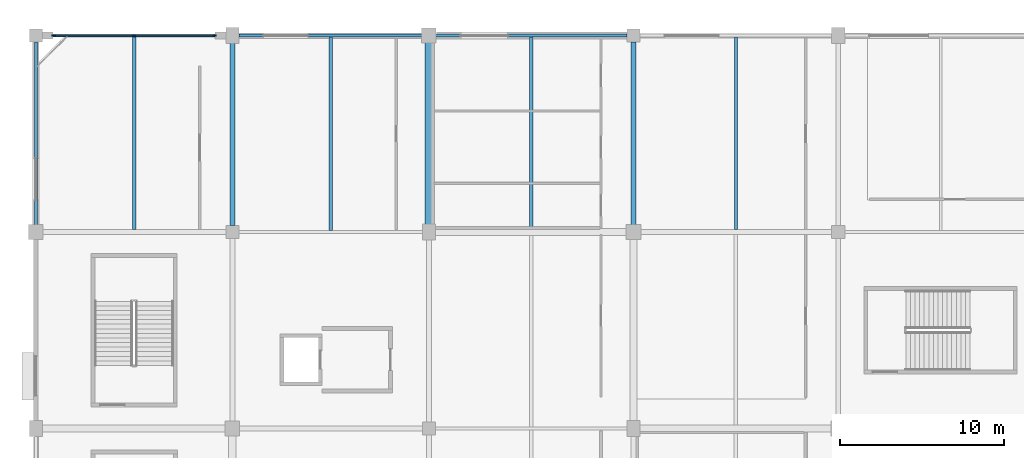
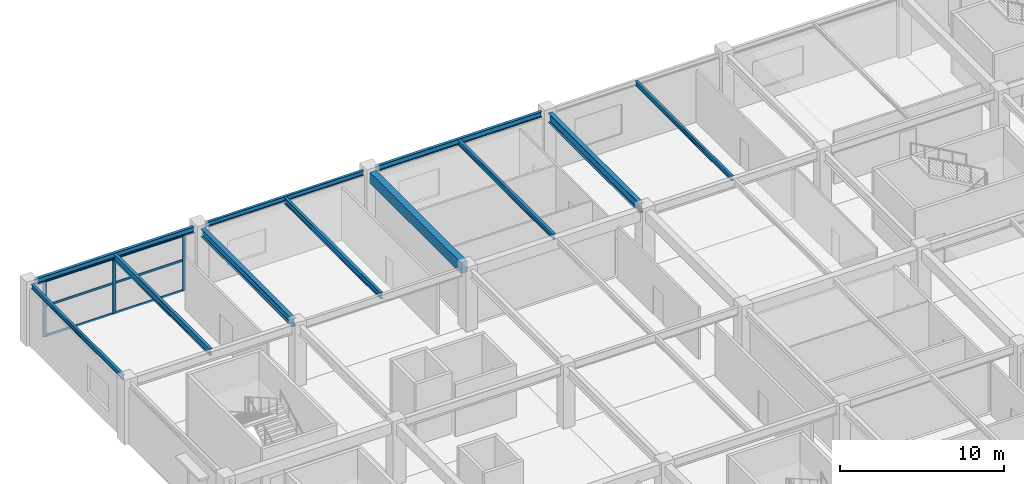
# One storey, part 53 of 134: 11 beams, 9 members, 1 element without a shape of its own.
"""IFC4 building model written with IfcOpenShell, lengths in metres."""

from ifc_helpers import new_model, si_unit, direction, frame, origin, origin_2d, place, context, subcontext, project, spatial, rectangle, i_section, extrude, material, layer, layer_set, material_profile, profile_set, type_object, element, aggregate, save


model = new_model("IFC4")

# Units and contexts
model_context = context("Model", 3, precision=1e-05, world=origin(), true_north=direction((0.0, 1.0)))
body_context = subcontext(model_context, "Body", "Model", "MODEL_VIEW")
ifc_project = project(units=[si_unit("LENGTHUNIT", "METRE"), si_unit("AREAUNIT", "SQUARE_METRE"), si_unit("VOLUMEUNIT", "CUBIC_METRE"), si_unit("PLANEANGLEUNIT", "RADIAN"), si_unit("MASSUNIT", "GRAM", prefix="KILO")], contexts=[model_context])

# Site, building, storey
site_placement = place(None, origin())
site = spatial("IfcSite", under=ifc_project, at=site_placement, CompositionType="ELEMENT")
building_placement = place(site_placement, origin())
building = spatial("IfcBuilding", under=site, at=building_placement, Name="Kazenohara Klinker Stadium", CompositionType="ELEMENT")
storey_placement = place(building_placement, frame((0.0, 0.0, 5.39990234375)))
storey = spatial("IfcBuildingStorey", under=building, at=storey_placement, Name="L01", CompositionType="ELEMENT", Elevation=5.39990234375)

# Beams
ifc_material_1 = material(Name="Steel S355", Category="steel")
ifc_material_profile_1 = material_profile(ifc_material_1, i_section(OverallWidth=0.199951171875, OverallDepth=0.5, WebThickness=0.010009765625, FlangeThickness=0.01611328125, FilletRadius=0.012939453125, at=origin_2d()), Name="H-500x200x10x16")
ifc_profile_set_1 = profile_set([ifc_material_profile_1], Name="Steel S355")
beam_type_1 = type_object("IfcBeamType", Name="BM-JST01", PredefinedType="JOIST", material=ifc_profile_set_1)
beam_1_placement = place(storey_placement, frame((6.0, 156.14990234375, 4.300048828125), z_axis=(0.0, 1.0, 0.0), x_axis=(-1.0, 0.0, 0.0)))
element("IfcBeam", 1, at=beam_1_placement, inside=storey, type_object=beam_type_1, Name="Secondary floor joist SJ01 L01 1/P", PredefinedType="JOIST", context=body_context, shape_type="SweptSolid", body=[
    extrude(i_section(OverallWidth=0.199951171875, OverallDepth=0.5, WebThickness=0.010009765625, FlangeThickness=0.01611328125, FilletRadius=0.012939453125, at=origin_2d()), origin(), (0.0, 0.0, 1.0), 11.75),
])
ifc_material_profile_2 = material_profile(ifc_material_1, i_section(OverallWidth=0.199951171875, OverallDepth=0.449951171875, WebThickness=0.009033203125, FlangeThickness=0.013916015625, FilletRadius=0.012939453125, at=origin_2d()), Name="H-450x200x9x14")
ifc_profile_set_2 = profile_set([ifc_material_profile_2], Name="Steel S355")
beam_type_2 = type_object("IfcBeamType", Name="BM-JST02", PredefinedType="JOIST", material=ifc_profile_set_2)
beam_2_placement = place(storey_placement, frame((18.0, 156.10009765625, 4.3251953125), z_axis=(0.0, 1.0, 0.0), x_axis=(-1.0, 0.0, 0.0)))
element("IfcBeam", 2, at=beam_2_placement, inside=storey, type_object=beam_type_2, Name="Secondary floor joist SJ02 L01 2/P", PredefinedType="JOIST", context=body_context, shape_type="SweptSolid", body=[
    extrude(i_section(OverallWidth=0.199951171875, OverallDepth=0.449951171875, WebThickness=0.009033203125, FlangeThickness=0.013916015625, FilletRadius=0.012939453125, at=origin_2d()), origin(), (0.0, 0.0, 1.0), 11.8125),
])
ifc_material_profile_3 = material_profile(ifc_material_1, i_section(OverallWidth=0.199951171875, OverallDepth=0.39990234375, WebThickness=0.008056640625, FlangeThickness=0.012939453125, FilletRadius=0.012939453125, at=origin_2d()), Name="H-400x200x8x13")
ifc_profile_set_3 = profile_set([ifc_material_profile_3], Name="Steel S355")
beam_type_3 = type_object("IfcBeamType", Name="BM-JST03", PredefinedType="JOIST", material=ifc_profile_set_3)
beam_3_placement = place(storey_placement, frame((30.25, 156.22509765625, 4.35009765625), z_axis=(0.0, 1.0, 0.0), x_axis=(-1.0, 0.0, 0.0)))
element("IfcBeam", 3, at=beam_3_placement, inside=storey, type_object=beam_type_3, Name="Secondary floor joist SJ03 L01 3/P", PredefinedType="JOIST", context=body_context, shape_type="SweptSolid", body=[
    extrude(i_section(OverallWidth=0.199951171875, OverallDepth=0.39990234375, WebThickness=0.008056640625, FlangeThickness=0.012939453125, FilletRadius=0.012939453125, at=origin_2d()), origin(), (0.0, 0.0, 1.0), 11.6748046875),
])
ifc_material_profile_4 = material_profile(ifc_material_1, i_section(OverallWidth=0.175048828125, OverallDepth=0.35009765625, WebThickness=0.007080078125, FlangeThickness=0.010986328125, FilletRadius=0.012939453125, at=origin_2d()), Name="H-350x175x7x11")
ifc_profile_set_4 = profile_set([ifc_material_profile_4], Name="Steel S355")
beam_type_4 = type_object("IfcBeamType", Name="BM-JST04", PredefinedType="JOIST", material=ifc_profile_set_4)
beam_4_placement = place(storey_placement, frame((42.75, 156.14990234375, 4.375), z_axis=(0.0, 1.0, 0.0), x_axis=(-1.0, 0.0, 0.0)))
element("IfcBeam", 4, at=beam_4_placement, inside=storey, type_object=beam_type_4, Name="Secondary floor joist SJ04 L01 4/P", PredefinedType="JOIST", context=body_context, shape_type="SweptSolid", body=[
    extrude(i_section(OverallWidth=0.175048828125, OverallDepth=0.35009765625, WebThickness=0.007080078125, FlangeThickness=0.010986328125, FilletRadius=0.012939453125, at=origin_2d()), origin(), (0.0, 0.0, 1.0), 11.7626953125),
])
ifc_material_2 = material(Name="Concrete C40/50", Category="concrete")
ifc_material_profile_5 = material_profile(ifc_material_2, rectangle(XDim=0.449951171875, YDim=0.800048828125, at=origin_2d()), Name="RC-BM-450x800")
ifc_profile_set_5 = profile_set([ifc_material_profile_5], Name="Concrete C40/50")
beam_type_5 = type_object("IfcBeamType", Name="BM-RC03", PredefinedType="BEAM", material=ifc_profile_set_5)
beam_5_placement = place(storey_placement, frame((24.0, 156.419921875, 4.150146484375), z_axis=(0.0, 1.0, 0.0), x_axis=(-1.0, 0.0, 0.0)))
element("IfcBeam", 5, at=beam_5_placement, inside=storey, type_object=beam_type_5, Name="Primary girder BG03 L01 3/P-Q", PredefinedType="BEAM", context=body_context, shape_type="SweptSolid", body=[
    extrude(rectangle(XDim=0.449951171875, YDim=0.800048828125, at=origin_2d()), origin(), (0.0, 0.0, 1.0), 11.16015625),
])
ifc_material_profile_6 = material_profile(ifc_material_1, i_section(OverallWidth=0.199951171875, OverallDepth=0.39990234375, WebThickness=0.008056640625, FlangeThickness=0.012939453125, FilletRadius=0.012939453125, at=origin_2d()), Name="H-400x200x8x13")
ifc_profile_set_6 = profile_set([ifc_material_profile_6], Name="Steel S355")
beam_type_6 = type_object("IfcBeamType", Name="BM-SPD01", PredefinedType="SPANDREL", material=ifc_profile_set_6)
beam_6_placement = place(storey_placement, frame((0.39990234375, 168.0, 4.35009765625), z_axis=(1.0, 0.0, 0.0), x_axis=(0.0, 1.0, 0.0)))
element("IfcBeam", 6, at=beam_6_placement, inside=storey, type_object=beam_type_6, Name="Primary girder SP01 L01 1-2/Q", PredefinedType="SPANDREL", context=body_context, shape_type="SweptSolid", body=[
    extrude(i_section(OverallWidth=0.199951171875, OverallDepth=0.39990234375, WebThickness=0.008056640625, FlangeThickness=0.012939453125, FilletRadius=0.012939453125, at=origin_2d()), origin(), (0.0, 0.0, 1.0), 11.2001953125),
])
beam_7_placement = place(storey_placement, frame((24.419921875, 168.0, 4.35009765625), z_axis=(1.0, 0.0, 0.0), x_axis=(0.0, 1.0, 0.0)))
element("IfcBeam", 7, at=beam_7_placement, inside=storey, type_object=beam_type_6, Name="Primary girder SP01 L01 3-4/Q", PredefinedType="SPANDREL", context=body_context, shape_type="SweptSolid", body=[
    extrude(i_section(OverallWidth=0.199951171875, OverallDepth=0.39990234375, WebThickness=0.008056640625, FlangeThickness=0.012939453125, FilletRadius=0.012939453125, at=origin_2d()), origin(), (0.0, 0.0, 1.0), 11.68017578125),
])
ifc_material_profile_7 = material_profile(ifc_material_1, i_section(OverallWidth=0.175048828125, OverallDepth=0.35009765625, WebThickness=0.007080078125, FlangeThickness=0.010986328125, FilletRadius=0.012939453125, at=origin_2d()), Name="H-350x175x7x11")
ifc_profile_set_7 = profile_set([ifc_material_profile_7], Name="Steel S355")
beam_type_7 = type_object("IfcBeamType", Name="BM-SPD02", PredefinedType="SPANDREL", material=ifc_profile_set_7)
for number, where, z_axis, x_axis, name in (
    (8, (12.39990234375, 168.0, 4.375), (1.0, 0.0, 0.0), (0.0, 1.0, 0.0), "Primary girder SP02 L01 2-3/Q"),
    (9, (0.0, 156.419921875, 4.375), (0.0, 1.0, 0.0), (-1.0, 0.0, 0.0), "Primary girder SP02 L01 1/P-Q"),
):
    element("IfcBeam", number, at=place(storey_placement, frame(where, z_axis=z_axis, x_axis=x_axis)), inside=storey, type_object=beam_type_7, Name=name, PredefinedType="SPANDREL", context=body_context, shape_type="SweptSolid", body=[
        extrude(i_section(OverallWidth=0.175048828125, OverallDepth=0.35009765625, WebThickness=0.007080078125, FlangeThickness=0.010986328125, FilletRadius=0.012939453125, at=origin_2d()), origin(), (0.0, 0.0, 1.0), 11.18017578125),
    ])
ifc_material_profile_8 = material_profile(ifc_material_1, i_section(OverallWidth=0.300048828125, OverallDepth=0.699951171875, WebThickness=0.012939453125, FlangeThickness=0.02392578125, FilletRadius=0.02197265625, at=origin_2d()), Name="H-700x300x13x24")
ifc_profile_set_8 = profile_set([ifc_material_profile_8], Name="Steel S355")
beam_type_8 = type_object("IfcBeamType", Name="BM-ST03", PredefinedType="BEAM", material=ifc_profile_set_8)
beam_8_placement = place(storey_placement, frame((36.5, 156.419921875, 4.2001953125), z_axis=(0.0, 1.0, 0.0), x_axis=(-1.0, 0.0, 0.0)))
element("IfcBeam", 10, at=beam_8_placement, inside=storey, type_object=beam_type_8, Name="Primary girder SB03 L01 4/P-Q", PredefinedType="BEAM", context=body_context, shape_type="SweptSolid", body=[
    extrude(i_section(OverallWidth=0.300048828125, OverallDepth=0.699951171875, WebThickness=0.012939453125, FlangeThickness=0.02392578125, FilletRadius=0.02197265625, at=origin_2d()), origin(), (0.0, 0.0, 1.0), 11.18017578125),
])
ifc_material_profile_9 = material_profile(ifc_material_1, i_section(OverallWidth=0.300048828125, OverallDepth=0.587890625, WebThickness=0.011962890625, FlangeThickness=0.02001953125, FilletRadius=0.02197265625, at=origin_2d()), Name="H-588x300x12x20")
ifc_profile_set_9 = profile_set([ifc_material_profile_9], Name="Steel S355")
beam_type_9 = type_object("IfcBeamType", Name="BM-ST05", PredefinedType="BEAM", material=ifc_profile_set_9)
beam_9_placement = place(storey_placement, frame((12.0, 156.39990234375, 4.256103515625), z_axis=(0.0, 1.0, 0.0), x_axis=(-1.0, 0.0, 0.0)))
element("IfcBeam", 11, at=beam_9_placement, inside=storey, type_object=beam_type_9, Name="Primary girder SB05 L01 2/P-Q", PredefinedType="BEAM", context=body_context, shape_type="SweptSolid", body=[
    extrude(i_section(OverallWidth=0.300048828125, OverallDepth=0.587890625, WebThickness=0.011962890625, FlangeThickness=0.02001953125, FilletRadius=0.02197265625, at=origin_2d()), origin(), (0.0, 0.0, 1.0), 11.18017578125),
])

# Curtain wall, members
ifc_material_3 = material(Name="Anodised aluminium and triple glazing", Category="aluminium")
ifc_layer = layer(ifc_material_3, 0.169921875)
ifc_layer_set = layer_set([ifc_layer], Name="Anodised aluminium and triple glazing")
curtain_wall_type = type_object("IfcCurtainWallType", Name="CW-SYS-04", PredefinedType="USERDEFINED", material=ifc_layer_set)
curtain_wall_placement = place(storey_placement, origin())
curtain_wall = element("IfcCurtainWall", 12, at=curtain_wall_placement, inside=storey, type_object=curtain_wall_type, Name="Unitised facade curtain wall CW04 L01 X0-14", ObjectType="UNITISED CURTAIN WALL", PredefinedType="USERDEFINED")
ifc_material_4 = material(Name="Anodised aluminium 6063-T6", Category="aluminium")
ifc_material_profile_10 = material_profile(ifc_material_4, rectangle(XDim=0.074951171875, YDim=0.219970703125, at=origin_2d()), Name="ALU-MUL-75x220")
ifc_profile_set_10 = profile_set([ifc_material_profile_10], Name="Anodised aluminium 6063-T6")
member_type_1 = type_object("IfcMemberType", Name="CW-MUL-220", PredefinedType="MULLION", material=ifc_profile_set_10)
member_1_placement = place(storey_placement, frame((1.091552734375, 168.0, 0.0), z_axis=(0.0, 0.0, 1.0), x_axis=(0.0, 1.0, 0.0)))
member_1 = element("IfcMember", 13, at=member_1_placement, type_object=member_type_1, Name="CW04 mullion 1", PredefinedType="MULLION", context=body_context, shape_type="SweptSolid", body=[
    extrude(rectangle(XDim=0.074951171875, YDim=0.219970703125, at=origin_2d()), origin(), (0.0, 0.0, 1.0), 4.150146484375),
])
member_2_placement = place(storey_placement, frame((6.0, 168.0, 0.0), z_axis=(0.0, 0.0, 1.0), x_axis=(0.0, 1.0, 0.0)))
member_2 = element("IfcMember", 14, at=member_2_placement, type_object=member_type_1, Name="CW04 mullion 2", PredefinedType="MULLION", context=body_context, shape_type="SweptSolid", body=[
    extrude(rectangle(XDim=0.074951171875, YDim=0.219970703125, at=origin_2d()), origin(), (0.0, 0.0, 1.0), 4.150146484375),
])
member_3_placement = place(storey_placement, frame((10.908447265625, 168.0, 0.0), z_axis=(0.0, 0.0, 1.0), x_axis=(0.0, 1.0, 0.0)))
member_3 = element("IfcMember", 15, at=member_3_placement, type_object=member_type_1, Name="CW04 mullion 3", PredefinedType="MULLION", context=body_context, shape_type="SweptSolid", body=[
    extrude(rectangle(XDim=0.074951171875, YDim=0.219970703125, at=origin_2d()), origin(), (0.0, 0.0, 1.0), 4.150146484375),
])
ifc_material_profile_11 = material_profile(ifc_material_4, rectangle(XDim=0.074951171875, YDim=0.159912109375, at=origin_2d()), Name="ALU-TRN-75x160")
ifc_profile_set_11 = profile_set([ifc_material_profile_11], Name="Anodised aluminium 6063-T6")
member_type_2 = type_object("IfcMemberType", Name="CW-TRN-160", PredefinedType="USERDEFINED", material=ifc_profile_set_11)
member_4_placement = place(storey_placement, frame((1.12890625, 168.0, 0.03759765625), z_axis=(1.0, 0.0, 0.0), x_axis=(0.0, 1.0, 0.0)))
member_4 = element("IfcMember", 16, at=member_4_placement, type_object=member_type_2, Name="CW04 transom 1.1", ObjectType="TRANSOM", PredefinedType="USERDEFINED", context=body_context, shape_type="SweptSolid", body=[
    extrude(rectangle(XDim=0.074951171875, YDim=0.159912109375, at=origin_2d()), origin(), (0.0, 0.0, 1.0), 4.83349609375),
])
member_5_placement = place(storey_placement, frame((1.12890625, 168.0, 2.28271484375), z_axis=(1.0, 0.0, 0.0), x_axis=(0.0, 1.0, 0.0)))
member_5 = element("IfcMember", 17, at=member_5_placement, type_object=member_type_2, Name="CW04 transom 1.2", ObjectType="TRANSOM", PredefinedType="USERDEFINED", context=body_context, shape_type="SweptSolid", body=[
    extrude(rectangle(XDim=0.074951171875, YDim=0.159912109375, at=origin_2d()), origin(), (0.0, 0.0, 1.0), 4.83349609375),
])
member_6_placement = place(storey_placement, frame((1.12890625, 168.0, 4.112548828125), z_axis=(1.0, 0.0, 0.0), x_axis=(0.0, 1.0, 0.0)))
member_6 = element("IfcMember", 18, at=member_6_placement, type_object=member_type_2, Name="CW04 transom 1.3", ObjectType="TRANSOM", PredefinedType="USERDEFINED", context=body_context, shape_type="SweptSolid", body=[
    extrude(rectangle(XDim=0.074951171875, YDim=0.159912109375, at=origin_2d()), origin(), (0.0, 0.0, 1.0), 4.83349609375),
])
member_7_placement = place(storey_placement, frame((6.03759765625, 168.0, 0.03759765625), z_axis=(1.0, 0.0, 0.0), x_axis=(0.0, 1.0, 0.0)))
member_7 = element("IfcMember", 19, at=member_7_placement, type_object=member_type_2, Name="CW04 transom 2.1", ObjectType="TRANSOM", PredefinedType="USERDEFINED", context=body_context, shape_type="SweptSolid", body=[
    extrude(rectangle(XDim=0.074951171875, YDim=0.159912109375, at=origin_2d()), origin(), (0.0, 0.0, 1.0), 4.83349609375),
])
member_8_placement = place(storey_placement, frame((6.03759765625, 168.0, 2.28271484375), z_axis=(1.0, 0.0, 0.0), x_axis=(0.0, 1.0, 0.0)))
member_8 = element("IfcMember", 20, at=member_8_placement, type_object=member_type_2, Name="CW04 transom 2.2", ObjectType="TRANSOM", PredefinedType="USERDEFINED", context=body_context, shape_type="SweptSolid", body=[
    extrude(rectangle(XDim=0.074951171875, YDim=0.159912109375, at=origin_2d()), origin(), (0.0, 0.0, 1.0), 4.83349609375),
])
member_9_placement = place(storey_placement, frame((6.03759765625, 168.0, 4.112548828125), z_axis=(1.0, 0.0, 0.0), x_axis=(0.0, 1.0, 0.0)))
member_9 = element("IfcMember", 21, at=member_9_placement, type_object=member_type_2, Name="CW04 transom 2.3", ObjectType="TRANSOM", PredefinedType="USERDEFINED", context=body_context, shape_type="SweptSolid", body=[
    extrude(rectangle(XDim=0.074951171875, YDim=0.159912109375, at=origin_2d()), origin(), (0.0, 0.0, 1.0), 4.83349609375),
])
aggregate(curtain_wall, [member_1, member_2, member_3, member_4, member_5, member_6, member_7, member_8, member_9])

save(model, "model.ifc")
